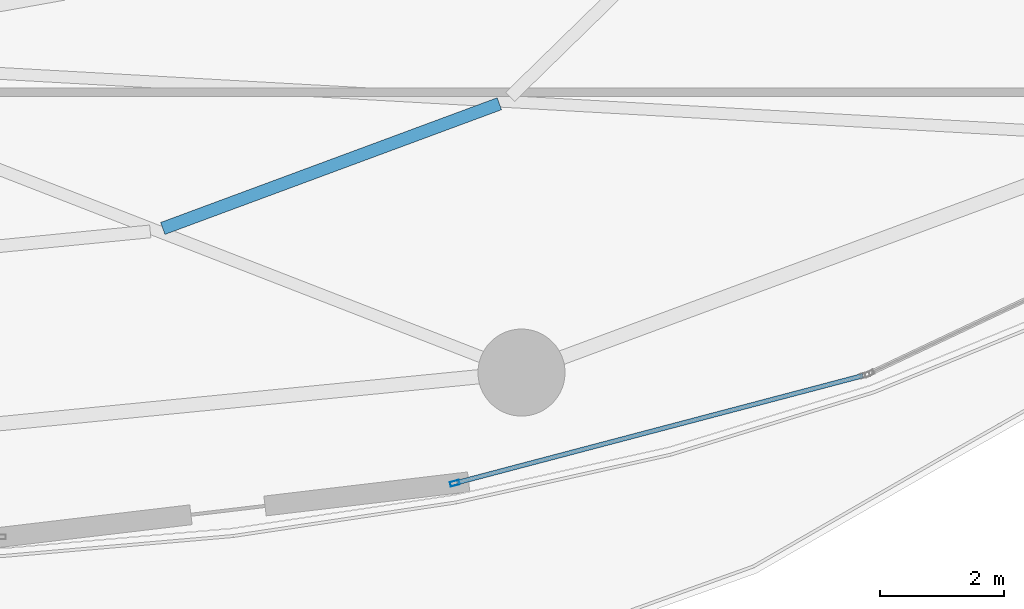
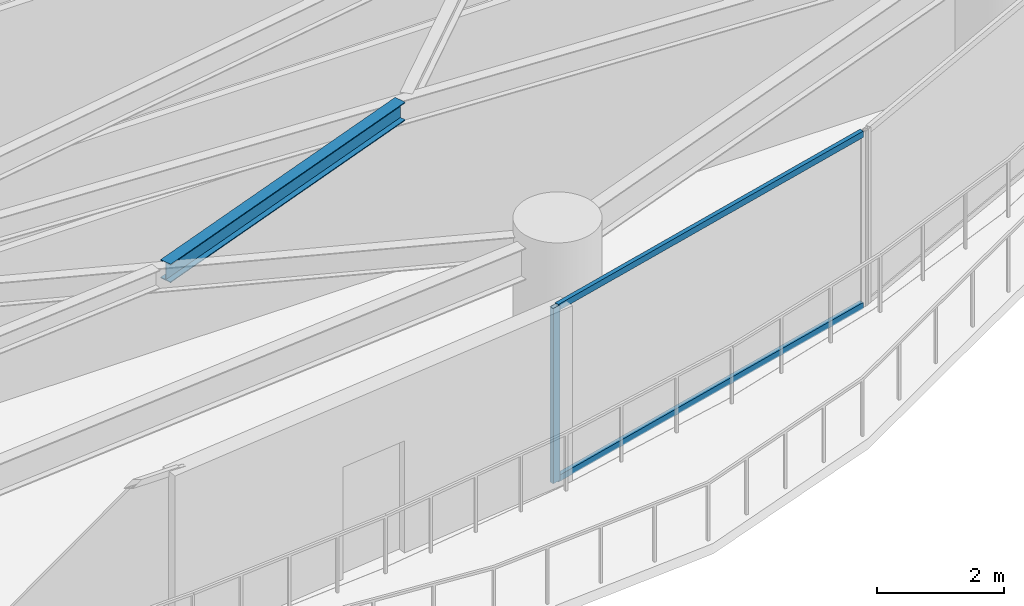
# One storey, part 12 of 30: 3 members, 1 beam, 1 element without a shape of its own.
"""IFC4 building model written with IfcOpenShell, lengths in metres."""

from ifc_helpers import new_model, si_unit, direction, frame, origin, origin_2d, place, context, subcontext, project, spatial, hollow_rectangle, i_section, extrude, material, layer, layer_set, material_profile, profile_set, type_object, element, aggregate, save


model = new_model("IFC4")

# Units and contexts
model_context = context("Model", 3, precision=1e-05, world=origin(), true_north=direction((0.0, 1.0)))
body_context = subcontext(model_context, "Body", "Model", "MODEL_VIEW")
ifc_project = project(units=[si_unit("LENGTHUNIT", "METRE"), si_unit("AREAUNIT", "SQUARE_METRE"), si_unit("VOLUMEUNIT", "CUBIC_METRE"), si_unit("PLANEANGLEUNIT", "RADIAN"), si_unit("MASSUNIT", "GRAM", prefix="KILO")], contexts=[model_context])

# Site, building, storey
site_placement = place(None, origin())
site = spatial("IfcSite", under=ifc_project, at=site_placement, CompositionType="ELEMENT")
building_placement = place(site_placement, origin())
building = spatial("IfcBuilding", under=site, at=building_placement, Name="Kazevale Care Tower and Concert Hall", CompositionType="ELEMENT")
storey_placement = place(building_placement, frame((0.0, 0.0, 74.39990234375)))
storey = spatial("IfcBuildingStorey", under=building, at=storey_placement, Name="L19", CompositionType="ELEMENT", Elevation=74.39990234375)

# Curtain wall, members
ifc_material_1 = material(Name="Aluminium 6063-T6 and Low-E Glass", Category="aluminium")
ifc_layer = layer(ifc_material_1, 0.179931640625)
ifc_layer_set = layer_set([ifc_layer], Name="Aluminium 6063-T6 and Low-E Glass")
curtain_wall_type = type_object("IfcCurtainWallType", Name="Sheltered Concave Balcony Curtain Wall CW-5", PredefinedType="NOTDEFINED", material=ifc_layer_set)
curtain_wall_placement = place(storey_placement, origin())
curtain_wall = element("IfcCurtainWall", 1, at=curtain_wall_placement, inside=storey, type_object=curtain_wall_type, Name="cw:L19:f04", PredefinedType="NOTDEFINED")
ifc_material_2 = material(Name="Aluminium 6063-T6", Category="aluminium")
ifc_material_profile_1 = material_profile(ifc_material_2, hollow_rectangle(XDim=0.074951171875, YDim=0.14990234375, WallThickness=0.00390625, at=origin_2d()), Name="ALU75x150x4")
ifc_profile_set_1 = profile_set([ifc_material_profile_1], Name="Aluminium 6063-T6")
member_type_1 = type_object("IfcMemberType", Name="CW-5 Mullion ALU75x150x4", PredefinedType="MULLION", material=ifc_profile_set_1)
member_1_placement = place(storey_placement, frame((55.96826171875, 16.75048828125, 0.0), z_axis=(0.0, 0.0, 1.0), x_axis=(0.254828630267, -0.966986230097, 0.0)))
member_1 = element("IfcMember", 2, at=member_1_placement, type_object=member_type_1, Name="CW-5 mullion 2", PredefinedType="MULLION", context=body_context, shape_type="SweptSolid", body=[
    extrude(hollow_rectangle(XDim=0.074951171875, YDim=0.14990234375, WallThickness=0.00390625, at=origin_2d()), origin(), (0.0, 0.0, 1.0), 3.360107421875),
])
ifc_material_profile_2 = material_profile(ifc_material_2, hollow_rectangle(XDim=0.074951171875, YDim=0.1201171875, WallThickness=0.00390625, at=origin_2d()), Name="ALU75x120x4")
ifc_profile_set_2 = profile_set([ifc_material_profile_2], Name="Aluminium 6063-T6")
member_type_2 = type_object("IfcMemberType", Name="CW-5 Transom ALU75x120x4", PredefinedType="USERDEFINED", material=ifc_profile_set_2)
member_2_placement = place(storey_placement, frame((62.530517578125, 18.47998046875, 0.03759765625), z_axis=(-0.966978405759, -0.254858319064, 0.0), x_axis=(0.254858319064, -0.966978405759, 0.0)))
member_2 = element("IfcMember", 3, at=member_2_placement, type_object=member_type_2, Name="CW-5 transom 1.1", ObjectType="TRANSOM", PredefinedType="USERDEFINED", context=body_context, shape_type="SweptSolid", body=[
    extrude(hollow_rectangle(XDim=0.074951171875, YDim=0.1201171875, WallThickness=0.00390625, at=origin_2d()), origin(), (0.0, 0.0, 1.0), 6.748779296875),
])
member_3_placement = place(storey_placement, frame((62.530517578125, 18.47998046875, 3.322509765625), z_axis=(-0.966978405759, -0.254858319064, 0.0), x_axis=(0.254858319064, -0.966978405759, 0.0)))
member_3 = element("IfcMember", 4, at=member_3_placement, type_object=member_type_2, Name="CW-5 transom 1.2", ObjectType="TRANSOM", PredefinedType="USERDEFINED", context=body_context, shape_type="SweptSolid", body=[
    extrude(hollow_rectangle(XDim=0.074951171875, YDim=0.1201171875, WallThickness=0.00390625, at=origin_2d()), origin(), (0.0, 0.0, 1.0), 6.748779296875),
])
aggregate(curtain_wall, [member_1, member_2, member_3])

# Beam
ifc_material_3 = material(Name="Steel ASTM A572 Gr 50", Category="steel")
ifc_material_profile_3 = material_profile(ifc_material_3, i_section(OverallWidth=0.205078125, OverallDepth=0.35400390625, WebThickness=0.009521484375, FlangeThickness=0.016845703125, at=origin_2d()), Name="W360x79")
ifc_profile_set_3 = profile_set([ifc_material_profile_3], Name="Steel ASTM A572 Gr 50")
beam_type = type_object("IfcBeamType", Name="Secondary Floor Joist W360x79", PredefinedType="JOIST", material=ifc_profile_set_3)
beam_placement = place(storey_placement, frame((51.27001953125, 20.847900390625, 3.18310546875), z_axis=(0.937698254396, 0.347450692477, 0.0), x_axis=(-0.347450692477, 0.937698254396, 0.0)))
element("IfcBeam", 5, at=beam_placement, inside=storey, type_object=beam_type, Name="beam:L19:joist:14", PredefinedType="JOIST", context=body_context, shape_type="SweptSolid", body=[
    extrude(i_section(OverallWidth=0.205078125, OverallDepth=0.35400390625, WebThickness=0.009521484375, FlangeThickness=0.016845703125, at=origin_2d()), origin(), (0.0, 0.0, 1.0), 5.773681640625),
])

save(model, "model.ifc")
